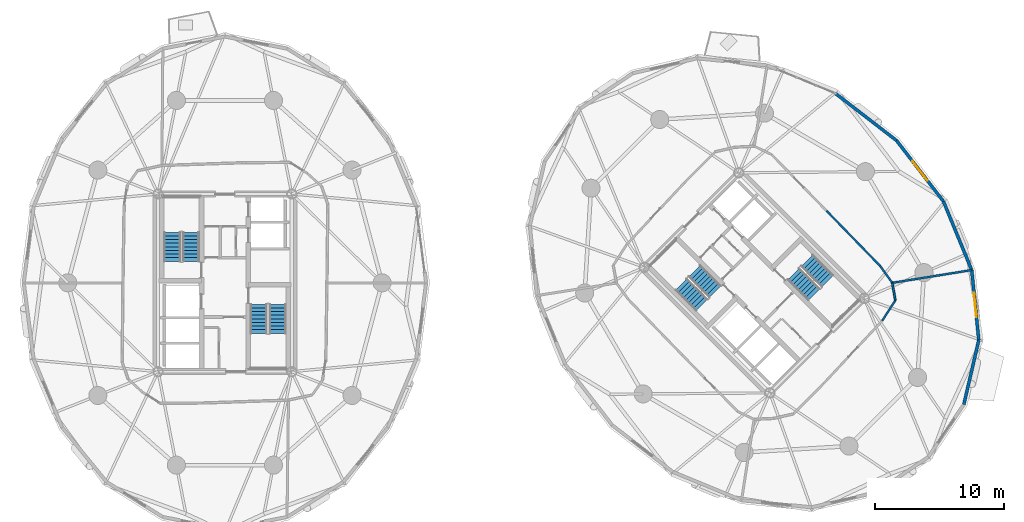
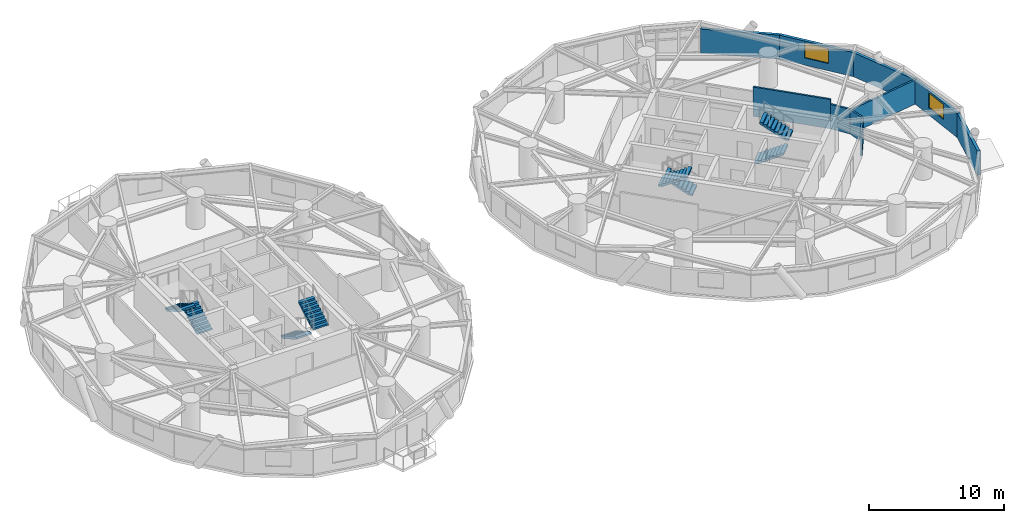
# One storey, part 14 of 17: 10 walls, 8 stair flights, 2 windows, 2 openings, 4 elements without a shape of their own.
"""IFC4 building model written with IfcOpenShell, lengths in metres."""

from ifc_helpers import new_model, si_unit, direction, frame, frame_2d, origin, place, context, subcontext, project, spatial, polyline, rectangle, outline, extrude, source, transform, mapped, material, layer, layer_set, type_object, element, fill, aggregate, save


model = new_model("IFC4")

# Units and contexts
model_context = context("Model", 3, precision=1e-05, world=origin(), true_north=direction((0.0, 1.0)))
body_context = subcontext(model_context, "Body", "Model", "MODEL_VIEW")
ifc_project = project(units=[si_unit("LENGTHUNIT", "METRE"), si_unit("AREAUNIT", "SQUARE_METRE"), si_unit("VOLUMEUNIT", "CUBIC_METRE"), si_unit("PLANEANGLEUNIT", "RADIAN"), si_unit("MASSUNIT", "GRAM", prefix="KILO")], contexts=[model_context])

# Site, building, storey
site_placement = place(None, origin())
site = spatial("IfcSite", under=ifc_project, at=site_placement, CompositionType="ELEMENT")
building_placement = place(site_placement, origin())
building = spatial("IfcBuilding", under=site, at=building_placement, Name="Cununo Teusaquillo Station Towers", CompositionType="ELEMENT")
storey_placement = place(building_placement, frame((0.0, 0.0, 70.14990234375)))
storey = spatial("IfcBuildingStorey", under=building, at=storey_placement, Name="L21", CompositionType="ELEMENT", Elevation=70.14990234375)

# Walls
ifc_material_1 = material(Name="Precast concrete C40/50", Category="concrete")
ifc_layer_1 = layer(ifc_material_1, 0.239990234375)
ifc_layer_set_1 = layer_set([ifc_layer_1], Name="Precast concrete C40/50")
wall_type_1 = type_object("IfcWallType", Name="WL-EXT-240", PredefinedType="SOLIDWALL", material=ifc_layer_set_1)
wall_1_placement = place(storey_placement, frame((63.811279296875, 39.145263671875, 0.0), z_axis=(0.0, 0.0, 1.0), x_axis=(0.791982052206, -0.61054437102, 0.0)))
element("IfcWall", 1, at=wall_1_placement, inside=storey, type_object=wall_type_1, Name="L21 Tower B Exterior Facade Wall C00", PredefinedType="SOLIDWALL", context=body_context, shape_type="SweptSolid", body=[
    extrude(rectangle(XDim=5.942138671875, YDim=0.239990234375, at=frame_2d((2.97119140625, 0.0))), origin(), (0.0, 0.0, 1.0), 2.17919921875),
])
wall_2_placement = place(storey_placement, frame((74.885009765625, 20.066650390625, 0.0), z_axis=(0.0, 0.0, 1.0), x_axis=(-0.225834725257, -0.974165631126, 0.0)))
element("IfcWall", 2, at=wall_2_placement, inside=storey, type_object=wall_type_1, Name="L21 Tower B Exterior Facade Wall C16", PredefinedType="SOLIDWALL", context=body_context, shape_type="SweptSolid", body=[
    extrude(rectangle(XDim=5.118896484375, YDim=0.239990234375, at=frame_2d((2.5595703125, 0.0))), origin(), (0.0, 0.0, 1.0), 2.17919921875),
])

# Wall, opening, window
wall_3_placement = place(storey_placement, frame((74.33935546875, 25.4873046875, 0.0), z_axis=(0.0, 0.0, 1.0), x_axis=(0.10015591906, -0.994971754311, 0.0)))
wall_3 = element("IfcWall", 3, at=wall_3_placement, inside=storey, type_object=wall_type_1, Name="L21 Tower B Exterior Facade Wall C17", PredefinedType="SOLIDWALL", context=body_context, shape_type="SweptSolid", body=[
    extrude(rectangle(XDim=5.447998046875, YDim=0.239990234375, at=frame_2d((2.72412109375, 0.0))), origin(), (0.0, 0.0, 1.0), 2.17919921875),
])
shared_shape_1 = source(origin(), body_context, "Body", "SweptSolid", [
    extrude(rectangle(XDim=1.89990234375, YDim=1.35009765625, at=frame_2d((0.949951171875, 0.675048828125))), frame((0.0, 0.1298828125, 0.0), z_axis=(0.0, -1.0, 0.0), x_axis=(1.0, 0.0, 0.0)), (0.0, 0.0, 1.0), 0.260009765625),
])
opening_1_placement = place(wall_3_placement, frame((1.77392578125, 0.0, 0.64990234375)))
opening_1 = element("IfcOpeningElement", 4, at=opening_1_placement, cuts=wall_3, Name="Opening WN-02", PredefinedType="OPENING", context=body_context, shape_type="MappedRepresentation", body=[
    mapped(shared_shape_1, transform((0.0, 0.0, 0.0), x_axis=(1.0, 0.0, 0.0), y_axis=(0.0, 1.0, 0.0), z_axis=(0.0, 0.0, 1.0), scale=1.0)),
])
ifc_material_2 = material(Name="Operable acoustic tinted low-E double glazing", Category="glass")
window_type = type_object("IfcWindowType", Name="WIN-OPER-1900", PartitioningType="DOUBLE_PANEL_VERTICAL", PredefinedType="WINDOW", material=ifc_material_2)
shared_shape_2 = source(origin(), body_context, "Body", "SweptSolid", [
    extrude(rectangle(XDim=1.89990234375, YDim=1.35009765625, at=frame_2d((0.949951171875, 0.675048828125))), frame((0.0, 0.030029296875, 0.0), z_axis=(0.0, -1.0, 0.0), x_axis=(1.0, 0.0, 0.0)), (0.0, 0.0, 1.0), 0.06005859375),
])
window_1_placement = place(opening_1_placement, origin())
window_1 = element("IfcWindow", 5, at=window_1_placement, inside=storey, type_object=window_type, Name="L21 Tower B Facade Window C17", OverallHeight=1.35009765625, OverallWidth=1.89990234375, PartitioningType="DOUBLE_PANEL_VERTICAL", PredefinedType="WINDOW", context=body_context, shape_type="MappedRepresentation", body=[
    mapped(shared_shape_2, transform((0.0, 0.0, 0.0), x_axis=(1.0, 0.0, 0.0), y_axis=(0.0, 1.0, 0.0), z_axis=(0.0, 0.0, 1.0), scale=1.0)),
])
fill(opening_1, window_1)

# Wall
wall_4_placement = place(storey_placement, frame((72.145263671875, 30.811279296875, 0.0), z_axis=(0.0, 0.0, 1.0), x_axis=(0.381027003055, -0.924563909604, 0.0)))
element("IfcWall", 6, at=wall_4_placement, inside=storey, type_object=wall_type_1, Name="L21 Tower B Exterior Facade Wall C18", PredefinedType="SOLIDWALL", context=body_context, shape_type="SweptSolid", body=[
    extrude(rectangle(XDim=5.75830078125, YDim=0.239990234375, at=frame_2d((2.879150390625, 0.0))), origin(), (0.0, 0.0, 1.0), 2.17919921875),
])

# Wall, opening, window
wall_5_placement = place(storey_placement, frame((68.517333984375, 35.517333984375, 0.0), z_axis=(0.0, 0.0, 1.0), x_axis=(0.61054437102, -0.791982052206, 0.0)))
wall_5 = element("IfcWall", 7, at=wall_5_placement, inside=storey, type_object=wall_type_1, Name="L21 Tower B Exterior Facade Wall C19", PredefinedType="SOLIDWALL", context=body_context, shape_type="SweptSolid", body=[
    extrude(rectangle(XDim=5.942138671875, YDim=0.239990234375, at=frame_2d((2.97119140625, 0.0))), origin(), (0.0, 0.0, 1.0), 2.17919921875),
])
opening_2_placement = place(wall_5_placement, frame((2.02099609375, 0.0, 0.64990234375)))
opening_2 = element("IfcOpeningElement", 8, at=opening_2_placement, cuts=wall_5, Name="Opening WN-02", PredefinedType="OPENING", context=body_context, shape_type="MappedRepresentation", body=[
    mapped(shared_shape_1, transform((0.0, 0.0, 0.0), x_axis=(1.0, 0.0, 0.0), y_axis=(0.0, 1.0, 0.0), z_axis=(0.0, 0.0, 1.0), scale=1.0)),
])
window_2_placement = place(opening_2_placement, origin())
window_2 = element("IfcWindow", 9, at=window_2_placement, inside=storey, type_object=window_type, Name="L21 Tower B Facade Window C19", OverallHeight=1.35009765625, OverallWidth=1.89990234375, PartitioningType="DOUBLE_PANEL_VERTICAL", PredefinedType="WINDOW", context=body_context, shape_type="MappedRepresentation", body=[
    mapped(shared_shape_2, transform((0.0, 0.0, 0.0), x_axis=(1.0, 0.0, 0.0), y_axis=(0.0, 1.0, 0.0), z_axis=(0.0, 0.0, 1.0), scale=1.0)),
])
fill(opening_2, window_2)

# Walls
ifc_material_3 = material(Name="Fire-rated gypsum plasterboard partition assembly", Category="gypsum")
ifc_layer_2 = layer(ifc_material_3, 0.14990234375)
ifc_layer_set_2 = layer_set([ifc_layer_2], Name="Fire-rated gypsum plasterboard partition assembly")
wall_type_2 = type_object("IfcWallType", Name="WL-PART-150", PredefinedType="PARTITIONING", material=ifc_layer_set_2)
wall_6_placement = place(storey_placement, frame((67.39990234375, 21.556396484375, 0.0), z_axis=(0.0, 0.0, 1.0), x_axis=(0.542247692187, 0.840218686009, 0.0)))
element("IfcWall", 10, at=wall_6_placement, inside=storey, type_object=wall_type_2, Name="L21 Tower B Corridor Ring Wall C16", PredefinedType="PARTITIONING", context=body_context, shape_type="SweptSolid", body=[
    extrude(rectangle(XDim=1.886962890625, YDim=0.14990234375, at=frame_2d((0.943359375, 0.0))), origin(), (0.0, 0.0, 1.0), 2.22509765625),
])
wall_7_placement = place(storey_placement, frame((68.423095703125, 23.141845703125, 0.0), z_axis=(0.0, 0.0, 1.0), x_axis=(-0.174796562349, 0.984604571283, 0.0)))
element("IfcWall", 11, at=wall_7_placement, inside=storey, type_object=wall_type_2, Name="L21 Tower B Corridor Ring Wall C17", PredefinedType="PARTITIONING", context=body_context, shape_type="SweptSolid", body=[
    extrude(rectangle(XDim=1.377197265625, YDim=0.14990234375, at=frame_2d((0.6884765625, 0.0))), origin(), (0.0, 0.0, 1.0), 2.22509765625),
])
wall_8_placement = place(storey_placement, frame((68.182373046875, 24.497802734375, 0.0), z_axis=(0.0, 0.0, 1.0), x_axis=(-0.582532339525, 0.812807525437, 0.0)))
element("IfcWall", 12, at=wall_8_placement, inside=storey, type_object=wall_type_2, Name="L21 Tower B Corridor Ring Wall C18", PredefinedType="PARTITIONING", context=body_context, shape_type="SweptSolid", body=[
    extrude(rectangle(XDim=1.605224609375, YDim=0.14990234375, at=frame_2d((0.802734375, 0.0))), origin(), (0.0, 0.0, 1.0), 2.22509765625),
])
wall_9_placement = place(storey_placement, frame((67.247314453125, 25.802490234375, 0.0), z_axis=(0.0, 0.0, 1.0), x_axis=(-0.696771261687, 0.71729339108, 0.0)))
element("IfcWall", 13, at=wall_9_placement, inside=storey, type_object=wall_type_2, Name="L21 Tower B Corridor Ring Wall C19", PredefinedType="PARTITIONING", context=body_context, shape_type="SweptSolid", body=[
    extrude(rectangle(XDim=5.971923828125, YDim=0.14990234375, at=frame_2d((2.98583984375, 0.0))), origin(), (0.0, 0.0, 1.0), 2.655029296875),
])
ifc_material_4 = material(Name="Fire-rated gypsum plasterboard partition assembly", Category="gypsum")
ifc_layer_3 = layer(ifc_material_4, 0.159912109375)
ifc_layer_set_3 = layer_set([ifc_layer_3], Name="Fire-rated gypsum plasterboard partition assembly")
wall_type_3 = type_object("IfcWallType", Name="WL-PART-160", PredefinedType="PARTITIONING", material=ifc_layer_set_3)
wall_10_placement = place(storey_placement, frame((68.182373046875, 24.497802734375, 0.0), z_axis=(0.0, 0.0, 1.0), x_axis=(0.987330591038, 0.158676727973, 0.0)))
element("IfcWall", 14, at=wall_10_placement, inside=storey, type_object=wall_type_3, Name="L21 Tower B Radial Suite Partition R04", PredefinedType="PARTITIONING", context=body_context, shape_type="SweptSolid", body=[
    extrude(rectangle(XDim=6.216064453125, YDim=0.159912109375, at=frame_2d((3.10791015625, 0.0))), origin(), (0.0, 0.0, 1.0), 2.17919921875),
])

# Stair, stair flights
ifc_material_5 = material(Name="Concrete C50/60", Category="concrete")
stair_type = type_object("IfcStairType", Name="ST-TWR-1300", PredefinedType="HALF_TURN_STAIR", material=ifc_material_5)
stair_1_placement = place(storey_placement, origin())
stair_1 = element("IfcStair", 15, at=stair_1_placement, inside=storey, type_object=stair_type, Name="L21 Tower A Protected Core Exit Stair 1", PredefinedType="HALF_TURN_STAIR")
ifc_material_6 = material(Name="Concrete C50/60", Category="concrete")
stair_flight_type = type_object("IfcStairFlightType", Name="SFL-TWR-1300", PredefinedType="STRAIGHT", material=ifc_material_6)
stair_flight_1_placement = place(storey_placement, frame((13.8701171875, 26.169921875, 0.0), z_axis=(0.0, 0.0, 1.0), x_axis=(0.0, 1.0, 0.0)))
stair_flight_1 = element("IfcStairFlight", 16, at=stair_flight_1_placement, type_object=stair_flight_type, Name="ST-T1-1 flight 1", NumberOfRisers=9, NumberOfTreads=8, PredefinedType="STRAIGHT", RiserHeight=0.161666667, TreadLength=0.28, context=body_context, shape_type="SweptSolid", body=[
    extrude(outline(polyline([(0.0, 0.0), (0.0, 0.16162109375), (0.280029296875, 0.16162109375), (0.280029296875, 0.3232421875), (0.56005859375, 0.3232421875), (0.56005859375, 0.485107421875), (0.840087890625, 0.485107421875), (0.840087890625, 0.646728515625), (1.1201171875, 0.646728515625), (1.1201171875, 0.808349609375), (1.39990234375, 0.808349609375), (1.39990234375, 0.969970703125), (1.679931640625, 0.969970703125), (1.679931640625, 1.131591796875), (1.9599609375, 1.131591796875), (1.9599609375, 1.293212890625), (2.239990234375, 1.293212890625), (2.239990234375, 1.455078125), (2.239990234375, 1.1201171875), (0.2998046875, 0.0), (0.0, 0.0)])), frame((0.0, 0.64990234375, 0.0), z_axis=(0.0, -1.0, 0.0), x_axis=(1.0, 0.0, 0.0)), (0.0, 0.0, 1.0), 1.300048828125),
])
stair_flight_2_placement = place(storey_placement, frame((12.409912109375, 28.409912109375, 1.455078125), z_axis=(0.0, 0.0, 1.0), x_axis=(0.0, -1.0, 0.0)))
stair_flight_2 = element("IfcStairFlight", 17, at=stair_flight_2_placement, type_object=stair_flight_type, Name="ST-T1-1 flight 2", NumberOfRisers=9, NumberOfTreads=8, PredefinedType="STRAIGHT", RiserHeight=0.161666667, TreadLength=0.28, context=body_context, shape_type="SweptSolid", body=[
    extrude(outline(polyline([(0.0, 0.0), (0.0, 0.16162109375), (0.280029296875, 0.16162109375), (0.280029296875, 0.3232421875), (0.56005859375, 0.3232421875), (0.56005859375, 0.485107421875), (0.840087890625, 0.485107421875), (0.840087890625, 0.646728515625), (1.1201171875, 0.646728515625), (1.1201171875, 0.808349609375), (1.39990234375, 0.808349609375), (1.39990234375, 0.969970703125), (1.679931640625, 0.969970703125), (1.679931640625, 1.131591796875), (1.9599609375, 1.131591796875), (1.9599609375, 1.293212890625), (2.239990234375, 1.293212890625), (2.239990234375, 1.455078125), (2.239990234375, 1.1201171875), (0.2998046875, 0.0), (0.0, 0.0)])), frame((0.0, 0.64990234375, 0.0), z_axis=(0.0, -1.0, 0.0), x_axis=(1.0, 0.0, 0.0)), (0.0, 0.0, 1.0), 1.300048828125),
])
aggregate(stair_1, [stair_flight_1, stair_flight_2])

stair_2_placement = place(storey_placement, origin())
stair_2 = element("IfcStair", 18, at=stair_2_placement, inside=storey, type_object=stair_type, Name="L21 Tower A Protected Core Exit Stair 2", PredefinedType="HALF_TURN_STAIR")
stair_flight_3_placement = place(storey_placement, frame((19.1298828125, 22.830078125, 0.0), z_axis=(0.0, 0.0, 1.0), x_axis=(0.0, -1.0, 0.0)))
stair_flight_3 = element("IfcStairFlight", 19, at=stair_flight_3_placement, type_object=stair_flight_type, Name="ST-T1-2 flight 1", NumberOfRisers=9, NumberOfTreads=8, PredefinedType="STRAIGHT", RiserHeight=0.161666667, TreadLength=0.28, context=body_context, shape_type="SweptSolid", body=[
    extrude(outline(polyline([(0.0, 0.0), (0.0, 0.16162109375), (0.280029296875, 0.16162109375), (0.280029296875, 0.3232421875), (0.56005859375, 0.3232421875), (0.56005859375, 0.485107421875), (0.840087890625, 0.485107421875), (0.840087890625, 0.646728515625), (1.1201171875, 0.646728515625), (1.1201171875, 0.808349609375), (1.39990234375, 0.808349609375), (1.39990234375, 0.969970703125), (1.679931640625, 0.969970703125), (1.679931640625, 1.131591796875), (1.9599609375, 1.131591796875), (1.9599609375, 1.293212890625), (2.239990234375, 1.293212890625), (2.239990234375, 1.455078125), (2.239990234375, 1.1201171875), (0.2998046875, 0.0), (0.0, 0.0)])), frame((0.0, 0.64990234375, 0.0), z_axis=(0.0, -1.0, 0.0), x_axis=(1.0, 0.0, 0.0)), (0.0, 0.0, 1.0), 1.300048828125),
])
stair_flight_4_placement = place(storey_placement, frame((20.590087890625, 20.590087890625, 1.455078125), z_axis=(0.0, 0.0, 1.0), x_axis=(0.0, 1.0, 0.0)))
stair_flight_4 = element("IfcStairFlight", 20, at=stair_flight_4_placement, type_object=stair_flight_type, Name="ST-T1-2 flight 2", NumberOfRisers=9, NumberOfTreads=8, PredefinedType="STRAIGHT", RiserHeight=0.161666667, TreadLength=0.28, context=body_context, shape_type="SweptSolid", body=[
    extrude(outline(polyline([(0.0, 0.0), (0.0, 0.16162109375), (0.280029296875, 0.16162109375), (0.280029296875, 0.3232421875), (0.56005859375, 0.3232421875), (0.56005859375, 0.485107421875), (0.840087890625, 0.485107421875), (0.840087890625, 0.646728515625), (1.1201171875, 0.646728515625), (1.1201171875, 0.808349609375), (1.39990234375, 0.808349609375), (1.39990234375, 0.969970703125), (1.679931640625, 0.969970703125), (1.679931640625, 1.131591796875), (1.9599609375, 1.131591796875), (1.9599609375, 1.293212890625), (2.239990234375, 1.293212890625), (2.239990234375, 1.455078125), (2.239990234375, 1.1201171875), (0.2998046875, 0.0), (0.0, 0.0)])), frame((0.0, 0.64990234375, 0.0), z_axis=(0.0, -1.0, 0.0), x_axis=(1.0, 0.0, 0.0)), (0.0, 0.0, 1.0), 1.300048828125),
])
aggregate(stair_2, [stair_flight_3, stair_flight_4])

stair_3_placement = place(storey_placement, origin())
stair_3 = element("IfcStair", 21, at=stair_3_placement, inside=storey, type_object=stair_type, Name="L21 Tower B Protected Core Exit Stair 1", PredefinedType="HALF_TURN_STAIR")
stair_flight_5_placement = place(storey_placement, frame((54.45947265625, 23.8212890625, 0.0), z_axis=(0.0, 0.0, 1.0), x_axis=(-0.707106781187, 0.707106781187, 0.0)))
stair_flight_5 = element("IfcStairFlight", 22, at=stair_flight_5_placement, type_object=stair_flight_type, Name="ST-T2-1 flight 1", NumberOfRisers=9, NumberOfTreads=8, PredefinedType="STRAIGHT", RiserHeight=0.161666667, TreadLength=0.28, context=body_context, shape_type="SweptSolid", body=[
    extrude(outline(polyline([(0.0, 0.0), (0.0, 0.16162109375), (0.280029296875, 0.16162109375), (0.280029296875, 0.3232421875), (0.56005859375, 0.3232421875), (0.56005859375, 0.485107421875), (0.840087890625, 0.485107421875), (0.840087890625, 0.646728515625), (1.1201171875, 0.646728515625), (1.1201171875, 0.808349609375), (1.39990234375, 0.808349609375), (1.39990234375, 0.969970703125), (1.679931640625, 0.969970703125), (1.679931640625, 1.131591796875), (1.9599609375, 1.131591796875), (1.9599609375, 1.293212890625), (2.239990234375, 1.293212890625), (2.239990234375, 1.455078125), (2.239990234375, 1.1201171875), (0.2998046875, 0.0), (0.0, 0.0)])), frame((0.0, 0.64990234375, 0.0), z_axis=(0.0, -1.0, 0.0), x_axis=(1.0, 0.0, 0.0)), (0.0, 0.0, 1.0), 1.300048828125),
])
stair_flight_6_placement = place(storey_placement, frame((51.84326171875, 24.372802734375, 1.455078125), z_axis=(0.0, 0.0, 1.0), x_axis=(0.707106781187, -0.707106781187, 0.0)))
stair_flight_6 = element("IfcStairFlight", 23, at=stair_flight_6_placement, type_object=stair_flight_type, Name="ST-T2-1 flight 2", NumberOfRisers=9, NumberOfTreads=8, PredefinedType="STRAIGHT", RiserHeight=0.161666667, TreadLength=0.28, context=body_context, shape_type="SweptSolid", body=[
    extrude(outline(polyline([(0.0, 0.0), (0.0, 0.16162109375), (0.280029296875, 0.16162109375), (0.280029296875, 0.3232421875), (0.56005859375, 0.3232421875), (0.56005859375, 0.485107421875), (0.840087890625, 0.485107421875), (0.840087890625, 0.646728515625), (1.1201171875, 0.646728515625), (1.1201171875, 0.808349609375), (1.39990234375, 0.808349609375), (1.39990234375, 0.969970703125), (1.679931640625, 0.969970703125), (1.679931640625, 1.131591796875), (1.9599609375, 1.131591796875), (1.9599609375, 1.293212890625), (2.239990234375, 1.293212890625), (2.239990234375, 1.455078125), (2.239990234375, 1.1201171875), (0.2998046875, 0.0), (0.0, 0.0)])), frame((0.0, 0.64990234375, 0.0), z_axis=(0.0, -1.0, 0.0), x_axis=(1.0, 0.0, 0.0)), (0.0, 0.0, 1.0), 1.300048828125),
])
aggregate(stair_3, [stair_flight_5, stair_flight_6])

stair_4_placement = place(storey_placement, origin())
stair_4 = element("IfcStair", 24, at=stair_4_placement, inside=storey, type_object=stair_type, Name="L21 Tower B Protected Core Exit Stair 2", PredefinedType="HALF_TURN_STAIR")
stair_flight_7_placement = place(storey_placement, frame((60.54052734375, 25.1787109375, 0.0), z_axis=(0.0, 0.0, 1.0), x_axis=(0.707106781187, -0.707106781187, 0.0)))
stair_flight_7 = element("IfcStairFlight", 25, at=stair_flight_7_placement, type_object=stair_flight_type, Name="ST-T2-2 flight 1", NumberOfRisers=9, NumberOfTreads=8, PredefinedType="STRAIGHT", RiserHeight=0.161666667, TreadLength=0.28, context=body_context, shape_type="SweptSolid", body=[
    extrude(outline(polyline([(0.0, 0.0), (0.0, 0.16162109375), (0.280029296875, 0.16162109375), (0.280029296875, 0.3232421875), (0.56005859375, 0.3232421875), (0.56005859375, 0.485107421875), (0.840087890625, 0.485107421875), (0.840087890625, 0.646728515625), (1.1201171875, 0.646728515625), (1.1201171875, 0.808349609375), (1.39990234375, 0.808349609375), (1.39990234375, 0.969970703125), (1.679931640625, 0.969970703125), (1.679931640625, 1.131591796875), (1.9599609375, 1.131591796875), (1.9599609375, 1.293212890625), (2.239990234375, 1.293212890625), (2.239990234375, 1.455078125), (2.239990234375, 1.1201171875), (0.2998046875, 0.0), (0.0, 0.0)])), frame((0.0, 0.64990234375, 0.0), z_axis=(0.0, -1.0, 0.0), x_axis=(1.0, 0.0, 0.0)), (0.0, 0.0, 1.0), 1.300048828125),
])
stair_flight_8_placement = place(storey_placement, frame((63.15673828125, 24.627197265625, 1.455078125), z_axis=(0.0, 0.0, 1.0), x_axis=(-0.707106781187, 0.707106781187, 0.0)))
stair_flight_8 = element("IfcStairFlight", 26, at=stair_flight_8_placement, type_object=stair_flight_type, Name="ST-T2-2 flight 2", NumberOfRisers=9, NumberOfTreads=8, PredefinedType="STRAIGHT", RiserHeight=0.161666667, TreadLength=0.28, context=body_context, shape_type="SweptSolid", body=[
    extrude(outline(polyline([(0.0, 0.0), (0.0, 0.16162109375), (0.280029296875, 0.16162109375), (0.280029296875, 0.3232421875), (0.56005859375, 0.3232421875), (0.56005859375, 0.485107421875), (0.840087890625, 0.485107421875), (0.840087890625, 0.646728515625), (1.1201171875, 0.646728515625), (1.1201171875, 0.808349609375), (1.39990234375, 0.808349609375), (1.39990234375, 0.969970703125), (1.679931640625, 0.969970703125), (1.679931640625, 1.131591796875), (1.9599609375, 1.131591796875), (1.9599609375, 1.293212890625), (2.239990234375, 1.293212890625), (2.239990234375, 1.455078125), (2.239990234375, 1.1201171875), (0.2998046875, 0.0), (0.0, 0.0)])), frame((0.0, 0.64990234375, 0.0), z_axis=(0.0, -1.0, 0.0), x_axis=(1.0, 0.0, 0.0)), (0.0, 0.0, 1.0), 1.300048828125),
])
aggregate(stair_4, [stair_flight_7, stair_flight_8])

save(model, "model.ifc")
